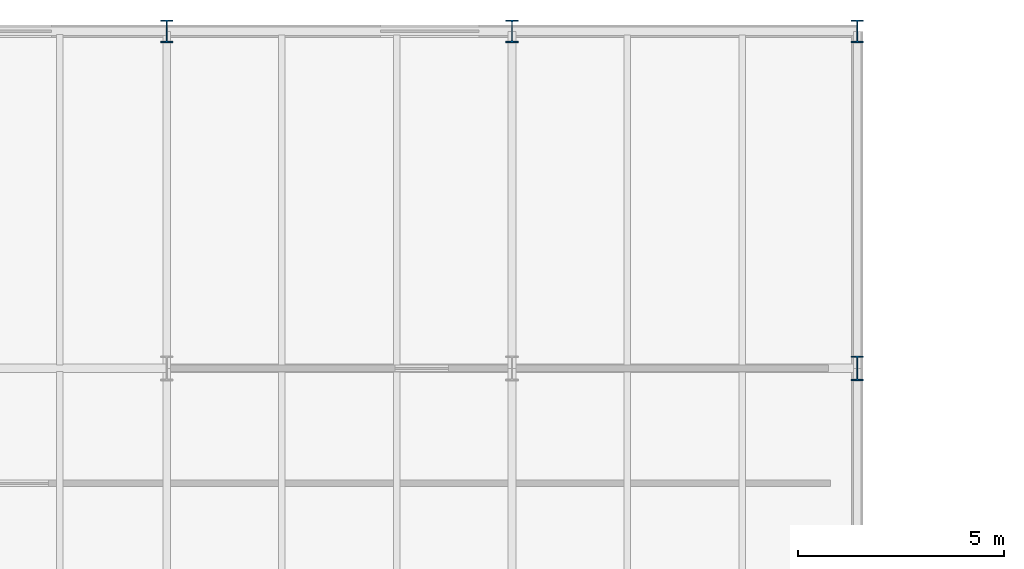
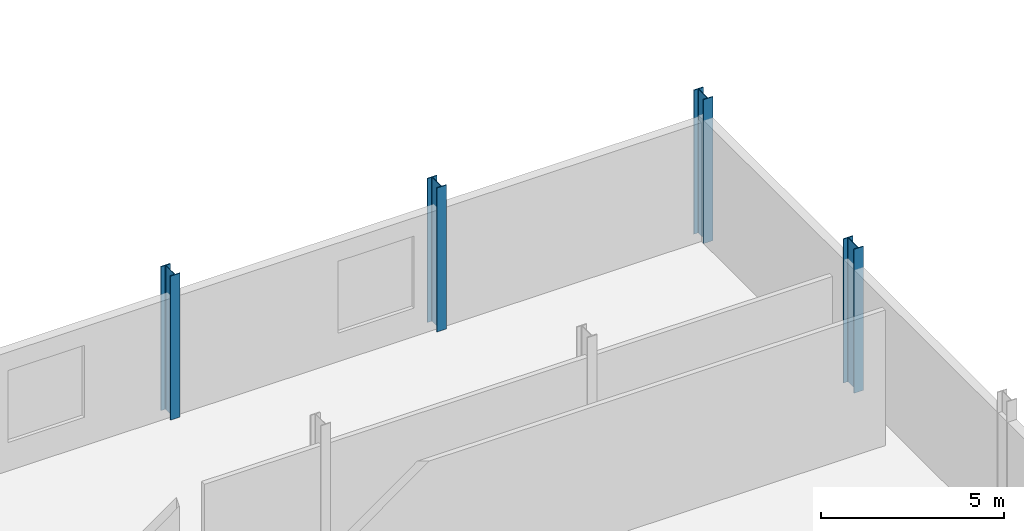
# One storey, part 12 of 63: 4 columns.
"""IFC4 building model written with IfcOpenShell, lengths in metres."""

from ifc_helpers import new_model, si_unit, direction, frame, origin, origin_2d, place, context, subcontext, project, spatial, i_section, extrude, material, material_profile, profile_set, type_object, element, save


model = new_model("IFC4")

# Units and contexts
model_context = context("Model", 3, precision=1e-05, world=origin(), true_north=direction((0.0, 1.0)))
body_context = subcontext(model_context, "Body", "Model", "MODEL_VIEW")
ifc_project = project(units=[si_unit("LENGTHUNIT", "METRE"), si_unit("AREAUNIT", "SQUARE_METRE"), si_unit("VOLUMEUNIT", "CUBIC_METRE"), si_unit("PLANEANGLEUNIT", "RADIAN"), si_unit("MASSUNIT", "GRAM", prefix="KILO")], contexts=[model_context])

# Site, building, storey
site_placement = place(None, origin())
site = spatial("IfcSite", under=ifc_project, at=site_placement, CompositionType="ELEMENT")
building_placement = place(site_placement, origin())
building = spatial("IfcBuilding", under=site, at=building_placement, Name="Sefraquen Railside Congress Hotel", CompositionType="ELEMENT")
storey_placement = place(building_placement, frame((0.0, 0.0, 11.39990234375)))
storey = spatial("IfcBuildingStorey", under=building, at=storey_placement, Name="L02", CompositionType="ELEMENT", Elevation=11.39990234375)

# Columns
ifc_material = material(Name="Steel S355JR", Category="steel")
ifc_material_profile_1 = material_profile(ifc_material, i_section(OverallWidth=0.300048828125, OverallDepth=0.550048828125, WebThickness=0.014892578125, FlangeThickness=0.029052734375, FilletRadius=0.027099609375, at=origin_2d()), Name="HEB 550")
ifc_profile_set_1 = profile_set([ifc_material_profile_1], Name="Steel S355JR")
column_type_1 = type_object("IfcColumnType", Name="TC-HEB-550", PredefinedType="COLUMN", material=ifc_profile_set_1)
for number, where, z_axis, x_axis, name in (
    (1, (103.199951171875, 118.0, 0.0), (0.0, 0.0, 1.0), (1.0, 0.0, 0.0), "Structural column 14-Q L02"),
    (2, (111.60009765625, 118.0, 0.0), (0.0, 0.0, 1.0), (1.0, 0.0, 0.0), "Structural column 15-Q L02"),
    (3, (120.0, 118.0, 0.0), (0.0, 0.0, 1.0), (1.0, 0.0, 0.0), "Structural column 16-Q L02"),
):
    element("IfcColumn", number, at=place(storey_placement, frame(where, z_axis=z_axis, x_axis=x_axis)), inside=storey, type_object=column_type_1, Name=name, PredefinedType="COLUMN", context=body_context, shape_type="SweptSolid", body=[
        extrude(i_section(OverallWidth=0.300048828125, OverallDepth=0.550048828125, WebThickness=0.014892578125, FlangeThickness=0.029052734375, FilletRadius=0.027099609375, at=origin_2d()), origin(), (0.0, 0.0, 1.0), 4.800048828125),
    ])
ifc_material_profile_2 = material_profile(ifc_material, i_section(OverallWidth=0.300048828125, OverallDepth=0.60009765625, WebThickness=0.015380859375, FlangeThickness=0.030029296875, FilletRadius=0.027099609375, at=origin_2d()), Name="HEB 600")
ifc_profile_set_2 = profile_set([ifc_material_profile_2], Name="Steel S355JR")
column_type_2 = type_object("IfcColumnType", Name="TC-HEB-600", PredefinedType="COLUMN", material=ifc_profile_set_2)
column_placement = place(storey_placement, frame((120.0, 109.800048828125, 0.0), z_axis=(0.0, 0.0, 1.0), x_axis=(1.0, 0.0, 0.0)))
element("IfcColumn", 4, at=column_placement, inside=storey, type_object=column_type_2, Name="Structural column 16-P L02", PredefinedType="COLUMN", context=body_context, shape_type="SweptSolid", body=[
    extrude(i_section(OverallWidth=0.300048828125, OverallDepth=0.60009765625, WebThickness=0.015380859375, FlangeThickness=0.030029296875, FilletRadius=0.027099609375, at=origin_2d()), origin(), (0.0, 0.0, 1.0), 4.800048828125),
])

save(model, "model.ifc")
